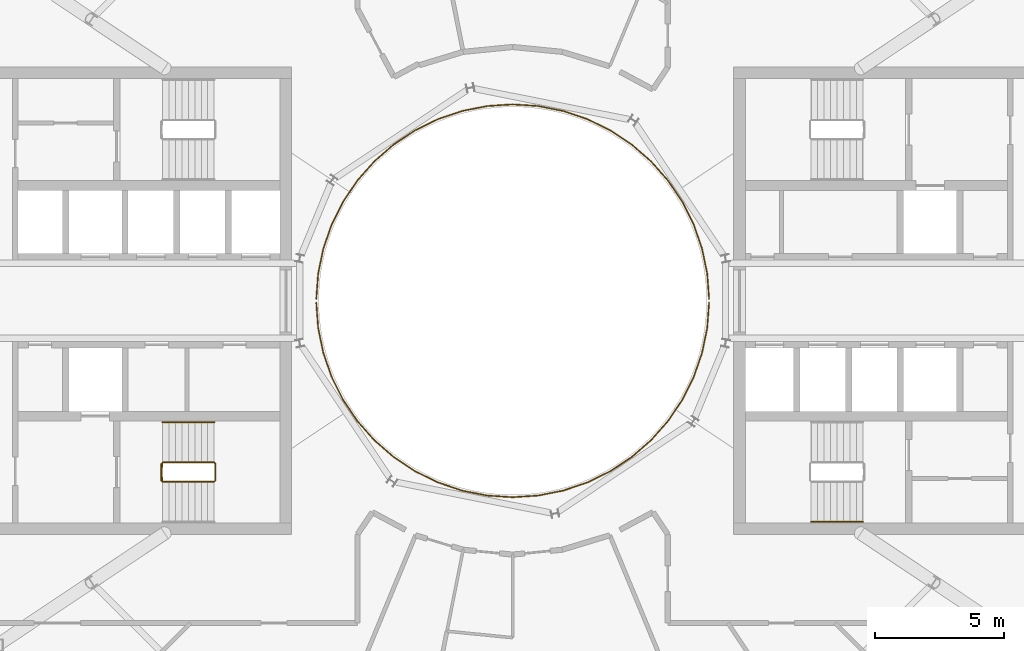
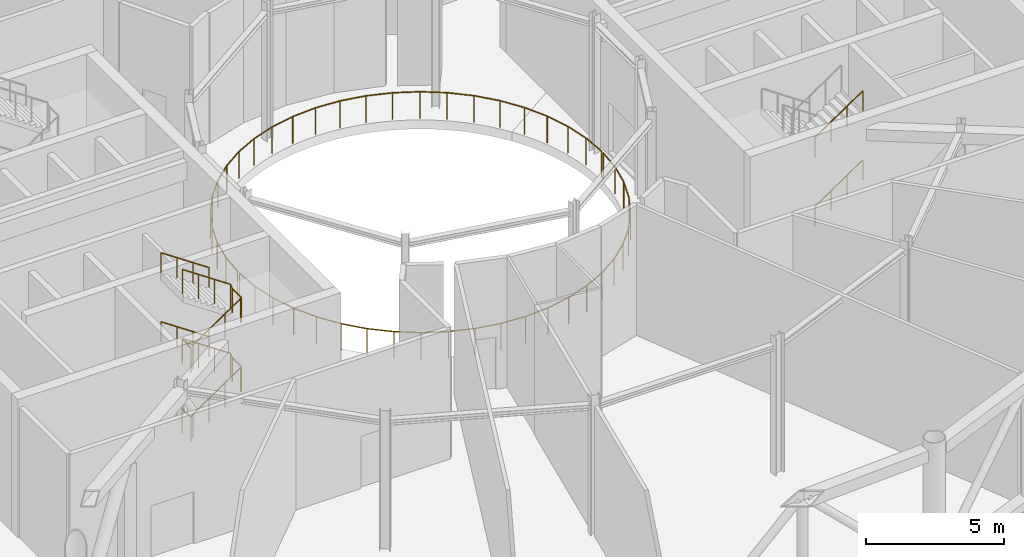
# One storey, part 21 of 24: 7 railings.
"""IFC4 building model written with IfcOpenShell, lengths in metres."""

from ifc_helpers import new_model, si_unit, direction, frame, origin, origin_2d, place, context, subcontext, project, spatial, circle, extrude, material, type_object, element, save


model = new_model("IFC4")

# Units and contexts
model_context = context("Model", 3, precision=1e-05, world=origin(), true_north=direction((0.0, 1.0)))
body_context = subcontext(model_context, "Body", "Model", "MODEL_VIEW")
ifc_project = project(units=[si_unit("LENGTHUNIT", "METRE"), si_unit("AREAUNIT", "SQUARE_METRE"), si_unit("VOLUMEUNIT", "CUBIC_METRE"), si_unit("PLANEANGLEUNIT", "RADIAN"), si_unit("MASSUNIT", "GRAM", prefix="KILO")], contexts=[model_context])

# Site, building, storey
site_placement = place(None, origin())
site = spatial("IfcSite", under=ifc_project, at=site_placement, CompositionType="ELEMENT")
building_placement = place(site_placement, origin())
building = spatial("IfcBuilding", under=site, at=building_placement, Name="Maasbend Ring Residences", CompositionType="ELEMENT")
storey_placement = place(building_placement, frame((0.0, 0.0, 221.85009765625)))
storey = spatial("IfcBuildingStorey", under=building, at=storey_placement, Name="L64", CompositionType="ELEMENT", Elevation=221.85009765625)

# Railings
ifc_material_1 = material(Name="Stainless steel 316 and glass", Category="steel")
railing_type_1 = type_object("IfcRailingType", Name="RL-GUARD", PredefinedType="GUARDRAIL", material=ifc_material_1)
railing_1_placement = place(storey_placement, frame((7.599609375, 0.06640625, 0.0)))
element("IfcRailing", 1, at=railing_1_placement, inside=storey, type_object=railing_type_1, Name="Garden guard well 1", PredefinedType="GUARDRAIL", context=body_context, shape_type="SweptSolid", body=[
    extrude(circle(Radius=0.02490234375, at=origin_2d()), frame((0.0, 0.0, 1.1748046875), z_axis=(-0.073598762792, 0.997287933405, 0.0), x_axis=(-0.997287933405, -0.073598762792, 0.0)), (0.0, 0.0, 1.0), 0.988525390625),
    extrude(circle(Radius=0.02490234375, at=origin_2d()), frame((-0.07275390625, 0.98583984375, 1.1748046875), z_axis=(-0.202760766137, 0.979228304184, 0.0), x_axis=(-0.979228304184, -0.202760766137, 0.0)), (0.0, 0.0, 1.0), 0.988525390625),
    extrude(circle(Radius=0.02490234375, at=origin_2d()), frame((-0.273193359375, 1.953857421875, 1.1748046875), z_axis=(-0.327907631853, 0.944709788757, 0.0), x_axis=(-0.944709788757, -0.327907631853, 0.0)), (0.0, 0.0, 1.0), 0.98876953125),
    extrude(circle(Radius=0.02490234375, at=origin_2d()), frame((-0.597412109375, 2.887939453125, 1.1748046875), z_axis=(-0.447806291046, 0.894130597676, 0.0), x_axis=(-0.894130597676, -0.447806291046, 0.0)), (0.0, 0.0, 1.0), 0.988525390625),
    extrude(circle(Radius=0.02490234375, at=origin_2d()), frame((-1.0400390625, 3.771728515625, 1.1748046875), z_axis=(-0.560045259563, 0.828462013155, 0.0), x_axis=(-0.828462013155, -0.560045259563, 0.0)), (0.0, 0.0, 1.0), 0.98876953125),
    extrude(circle(Radius=0.02490234375, at=origin_2d()), frame((-1.59375, 4.5908203125, 1.1748046875), z_axis=(-0.662829611997, 0.748770262137, 0.0), x_axis=(-0.748770262137, -0.662829611997, 0.0)), (0.0, 0.0, 1.0), 0.988525390625),
    extrude(circle(Radius=0.02490234375, at=origin_2d()), frame((-2.2490234375, 5.3310546875, 1.1748046875), z_axis=(-0.754424735376, 0.656386561908, 0.0), x_axis=(-0.656386561908, -0.754424735376, 0.0)), (0.0, 0.0, 1.0), 0.988525390625),
    extrude(circle(Radius=0.02490234375, at=origin_2d()), frame((-2.994873046875, 5.97998046875, 1.1748046875), z_axis=(-0.833415421364, 0.552647026078, 0.0), x_axis=(-0.552647026078, -0.833415421364, 0.0)), (0.0, 0.0, 1.0), 0.98876953125),
    extrude(circle(Radius=0.02490234375, at=origin_2d()), frame((-3.81884765625, 6.5263671875, 1.1748046875), z_axis=(-0.89795516916, 0.440086939341, 0.0), x_axis=(-0.440086939341, -0.89795516916, 0.0)), (0.0, 0.0, 1.0), 0.988525390625),
    extrude(circle(Radius=0.02490234375, at=origin_2d()), frame((-4.70654296875, 6.96142578125, 1.1748046875), z_axis=(-0.947491343753, 0.31978141521, 0.0), x_axis=(-0.31978141521, -0.947491343753, 0.0)), (0.0, 0.0, 1.0), 0.98876953125),
    extrude(circle(Radius=0.02490234375, at=origin_2d()), frame((-5.643310546875, 7.277587890625, 1.1748046875), z_axis=(-0.981024607585, 0.193883262073, 0.0), x_axis=(-0.193883262073, -0.981024607585, 0.0)), (0.0, 0.0, 1.0), 0.988525390625),
    extrude(circle(Radius=0.02490234375, at=origin_2d()), frame((-6.613037109375, 7.46923828125, 1.1748046875), z_axis=(-0.997872778693, 0.06519139163, 0.0), x_axis=(-0.06519139163, -0.997872778693, 0.0)), (0.0, 0.0, 1.0), 0.98876953125),
    extrude(circle(Radius=0.02490234375, at=origin_2d()), frame((-7.599609375, 7.53369140625, 1.1748046875), z_axis=(-0.997872778693, -0.06519139163, 0.0), x_axis=(0.06519139163, -0.997872778693, 0.0)), (0.0, 0.0, 1.0), 0.98876953125),
    extrude(circle(Radius=0.02490234375, at=origin_2d()), frame((-8.586181640625, 7.46923828125, 1.1748046875), z_axis=(-0.981024607585, -0.193883262073, 0.0), x_axis=(0.193883262073, -0.981024607585, 0.0)), (0.0, 0.0, 1.0), 0.988525390625),
    extrude(circle(Radius=0.02490234375, at=origin_2d()), frame((-9.555908203125, 7.277587890625, 1.1748046875), z_axis=(-0.947491343753, -0.31978141521, 0.0), x_axis=(0.31978141521, -0.947491343753, 0.0)), (0.0, 0.0, 1.0), 0.98876953125),
    extrude(circle(Radius=0.02490234375, at=origin_2d()), frame((-10.49267578125, 6.96142578125, 1.1748046875), z_axis=(-0.89795516916, -0.440086939341, 0.0), x_axis=(0.440086939341, -0.89795516916, 0.0)), (0.0, 0.0, 1.0), 0.988525390625),
    extrude(circle(Radius=0.02490234375, at=origin_2d()), frame((-11.38037109375, 6.5263671875, 1.1748046875), z_axis=(-0.833415421364, -0.552647026078, 0.0), x_axis=(0.552647026078, -0.833415421364, 0.0)), (0.0, 0.0, 1.0), 0.98876953125),
    extrude(circle(Radius=0.02490234375, at=origin_2d()), frame((-12.204345703125, 5.97998046875, 1.1748046875), z_axis=(-0.754424735376, -0.656386561908, 0.0), x_axis=(0.656386561908, -0.754424735376, 0.0)), (0.0, 0.0, 1.0), 0.988525390625),
    extrude(circle(Radius=0.02490234375, at=origin_2d()), frame((-12.9501953125, 5.3310546875, 1.1748046875), z_axis=(-0.662829611997, -0.748770262137, 0.0), x_axis=(0.748770262137, -0.662829611997, 0.0)), (0.0, 0.0, 1.0), 0.988525390625),
    extrude(circle(Radius=0.02490234375, at=origin_2d()), frame((-13.60546875, 4.5908203125, 1.1748046875), z_axis=(-0.560045259563, -0.828462013155, 0.0), x_axis=(0.828462013155, -0.560045259563, 0.0)), (0.0, 0.0, 1.0), 0.98876953125),
    extrude(circle(Radius=0.02490234375, at=origin_2d()), frame((-14.1591796875, 3.771728515625, 1.1748046875), z_axis=(-0.447806291046, -0.894130597676, 0.0), x_axis=(0.894130597676, -0.447806291046, 0.0)), (0.0, 0.0, 1.0), 0.988525390625),
    extrude(circle(Radius=0.02490234375, at=origin_2d()), frame((-14.601806640625, 2.887939453125, 1.1748046875), z_axis=(-0.327907631853, -0.944709788757, 0.0), x_axis=(0.944709788757, -0.327907631853, 0.0)), (0.0, 0.0, 1.0), 0.98876953125),
    extrude(circle(Radius=0.02490234375, at=origin_2d()), frame((-14.926025390625, 1.953857421875, 1.1748046875), z_axis=(-0.202760766137, -0.979228304184, 0.0), x_axis=(0.979228304184, -0.202760766137, 0.0)), (0.0, 0.0, 1.0), 0.988525390625),
    extrude(circle(Radius=0.02490234375, at=origin_2d()), frame((-15.12646484375, 0.98583984375, 1.1748046875), z_axis=(-0.073598762792, -0.997287933405, 0.0), x_axis=(0.997287933405, -0.073598762792, 0.0)), (0.0, 0.0, 1.0), 0.988525390625),
    extrude(circle(Radius=0.02001953125, at=origin_2d()), origin(), (0.0, 0.0, 1.0), 1.14990234375),
    extrude(circle(Radius=0.02001953125, at=origin_2d()), frame((-0.07275390625, 0.98583984375, 0.0)), (0.0, 0.0, 1.0), 1.14990234375),
    extrude(circle(Radius=0.02001953125, at=origin_2d()), frame((-0.273193359375, 1.953857421875, 0.0)), (0.0, 0.0, 1.0), 1.14990234375),
    extrude(circle(Radius=0.02001953125, at=origin_2d()), frame((-0.597412109375, 2.887939453125, 0.0)), (0.0, 0.0, 1.0), 1.14990234375),
    extrude(circle(Radius=0.02001953125, at=origin_2d()), frame((-1.0400390625, 3.771728515625, 0.0)), (0.0, 0.0, 1.0), 1.14990234375),
    extrude(circle(Radius=0.02001953125, at=origin_2d()), frame((-1.59375, 4.5908203125, 0.0)), (0.0, 0.0, 1.0), 1.14990234375),
    extrude(circle(Radius=0.02001953125, at=origin_2d()), frame((-2.2490234375, 5.3310546875, 0.0)), (0.0, 0.0, 1.0), 1.14990234375),
    extrude(circle(Radius=0.02001953125, at=origin_2d()), frame((-2.994873046875, 5.97998046875, 0.0)), (0.0, 0.0, 1.0), 1.14990234375),
    extrude(circle(Radius=0.02001953125, at=origin_2d()), frame((-3.81884765625, 6.5263671875, 0.0)), (0.0, 0.0, 1.0), 1.14990234375),
    extrude(circle(Radius=0.02001953125, at=origin_2d()), frame((-4.70654296875, 6.96142578125, 0.0)), (0.0, 0.0, 1.0), 1.14990234375),
    extrude(circle(Radius=0.02001953125, at=origin_2d()), frame((-5.643310546875, 7.277587890625, 0.0)), (0.0, 0.0, 1.0), 1.14990234375),
    extrude(circle(Radius=0.02001953125, at=origin_2d()), frame((-6.613037109375, 7.46923828125, 0.0)), (0.0, 0.0, 1.0), 1.14990234375),
    extrude(circle(Radius=0.02001953125, at=origin_2d()), frame((-7.599609375, 7.53369140625, 0.0)), (0.0, 0.0, 1.0), 1.14990234375),
    extrude(circle(Radius=0.02001953125, at=origin_2d()), frame((-8.586181640625, 7.46923828125, 0.0)), (0.0, 0.0, 1.0), 1.14990234375),
    extrude(circle(Radius=0.02001953125, at=origin_2d()), frame((-9.555908203125, 7.277587890625, 0.0)), (0.0, 0.0, 1.0), 1.14990234375),
    extrude(circle(Radius=0.02001953125, at=origin_2d()), frame((-10.49267578125, 6.96142578125, 0.0)), (0.0, 0.0, 1.0), 1.14990234375),
    extrude(circle(Radius=0.02001953125, at=origin_2d()), frame((-11.38037109375, 6.5263671875, 0.0)), (0.0, 0.0, 1.0), 1.14990234375),
    extrude(circle(Radius=0.02001953125, at=origin_2d()), frame((-12.204345703125, 5.97998046875, 0.0)), (0.0, 0.0, 1.0), 1.14990234375),
    extrude(circle(Radius=0.02001953125, at=origin_2d()), frame((-12.9501953125, 5.3310546875, 0.0)), (0.0, 0.0, 1.0), 1.14990234375),
    extrude(circle(Radius=0.02001953125, at=origin_2d()), frame((-13.60546875, 4.5908203125, 0.0)), (0.0, 0.0, 1.0), 1.14990234375),
    extrude(circle(Radius=0.02001953125, at=origin_2d()), frame((-14.1591796875, 3.771728515625, 0.0)), (0.0, 0.0, 1.0), 1.14990234375),
    extrude(circle(Radius=0.02001953125, at=origin_2d()), frame((-14.601806640625, 2.887939453125, 0.0)), (0.0, 0.0, 1.0), 1.14990234375),
    extrude(circle(Radius=0.02001953125, at=origin_2d()), frame((-14.926025390625, 1.953857421875, 0.0)), (0.0, 0.0, 1.0), 1.14990234375),
    extrude(circle(Radius=0.02001953125, at=origin_2d()), frame((-15.12646484375, 0.98583984375, 0.0)), (0.0, 0.0, 1.0), 1.14990234375),
    extrude(circle(Radius=0.02001953125, at=origin_2d()), frame((-15.19921875, 0.0, 0.0)), (0.0, 0.0, 1.0), 1.14990234375),
])
railing_2_placement = place(storey_placement, frame((-7.599609375, -0.06640625, 0.0)))
element("IfcRailing", 2, at=railing_2_placement, inside=storey, type_object=railing_type_1, Name="Garden guard well 2", PredefinedType="GUARDRAIL", context=body_context, shape_type="SweptSolid", body=[
    extrude(circle(Radius=0.02490234375, at=origin_2d()), frame((0.0, 0.0, 1.1748046875), z_axis=(0.073598762792, -0.997287933405, 0.0), x_axis=(0.997287933405, 0.073598762792, 0.0)), (0.0, 0.0, 1.0), 0.988525390625),
    extrude(circle(Radius=0.02490234375, at=origin_2d()), frame((0.07275390625, -0.98583984375, 1.1748046875), z_axis=(0.202760766137, -0.979228304184, 0.0), x_axis=(0.979228304184, 0.202760766137, 0.0)), (0.0, 0.0, 1.0), 0.988525390625),
    extrude(circle(Radius=0.02490234375, at=origin_2d()), frame((0.273193359375, -1.953857421875, 1.1748046875), z_axis=(0.327907631853, -0.944709788757, 0.0), x_axis=(0.944709788757, 0.327907631853, 0.0)), (0.0, 0.0, 1.0), 0.98876953125),
    extrude(circle(Radius=0.02490234375, at=origin_2d()), frame((0.597412109375, -2.887939453125, 1.1748046875), z_axis=(0.447806291046, -0.894130597676, 0.0), x_axis=(0.894130597676, 0.447806291046, 0.0)), (0.0, 0.0, 1.0), 0.988525390625),
    extrude(circle(Radius=0.02490234375, at=origin_2d()), frame((1.0400390625, -3.771728515625, 1.1748046875), z_axis=(0.560045259563, -0.828462013155, 0.0), x_axis=(0.828462013155, 0.560045259563, 0.0)), (0.0, 0.0, 1.0), 0.98876953125),
    extrude(circle(Radius=0.02490234375, at=origin_2d()), frame((1.59375, -4.5908203125, 1.1748046875), z_axis=(0.662829611997, -0.748770262137, 0.0), x_axis=(0.748770262137, 0.662829611997, 0.0)), (0.0, 0.0, 1.0), 0.988525390625),
    extrude(circle(Radius=0.02490234375, at=origin_2d()), frame((2.2490234375, -5.3310546875, 1.1748046875), z_axis=(0.754424735376, -0.656386561908, 0.0), x_axis=(0.656386561908, 0.754424735376, 0.0)), (0.0, 0.0, 1.0), 0.988525390625),
    extrude(circle(Radius=0.02490234375, at=origin_2d()), frame((2.994873046875, -5.97998046875, 1.1748046875), z_axis=(0.833415421364, -0.552647026078, 0.0), x_axis=(0.552647026078, 0.833415421364, 0.0)), (0.0, 0.0, 1.0), 0.98876953125),
    extrude(circle(Radius=0.02490234375, at=origin_2d()), frame((3.81884765625, -6.5263671875, 1.1748046875), z_axis=(0.89795516916, -0.440086939341, 0.0), x_axis=(0.440086939341, 0.89795516916, 0.0)), (0.0, 0.0, 1.0), 0.988525390625),
    extrude(circle(Radius=0.02490234375, at=origin_2d()), frame((4.70654296875, -6.96142578125, 1.1748046875), z_axis=(0.947491343753, -0.31978141521, 0.0), x_axis=(0.31978141521, 0.947491343753, 0.0)), (0.0, 0.0, 1.0), 0.98876953125),
    extrude(circle(Radius=0.02490234375, at=origin_2d()), frame((5.643310546875, -7.277587890625, 1.1748046875), z_axis=(0.981024607585, -0.193883262073, 0.0), x_axis=(0.193883262073, 0.981024607585, 0.0)), (0.0, 0.0, 1.0), 0.988525390625),
    extrude(circle(Radius=0.02490234375, at=origin_2d()), frame((6.613037109375, -7.46923828125, 1.1748046875), z_axis=(0.997872778693, -0.06519139163, 0.0), x_axis=(0.06519139163, 0.997872778693, 0.0)), (0.0, 0.0, 1.0), 0.98876953125),
    extrude(circle(Radius=0.02490234375, at=origin_2d()), frame((7.599609375, -7.53369140625, 1.1748046875), z_axis=(0.997872778693, 0.06519139163, 0.0), x_axis=(-0.06519139163, 0.997872778693, 0.0)), (0.0, 0.0, 1.0), 0.98876953125),
    extrude(circle(Radius=0.02490234375, at=origin_2d()), frame((8.586181640625, -7.46923828125, 1.1748046875), z_axis=(0.981024607585, 0.193883262073, 0.0), x_axis=(-0.193883262073, 0.981024607585, 0.0)), (0.0, 0.0, 1.0), 0.988525390625),
    extrude(circle(Radius=0.02490234375, at=origin_2d()), frame((9.555908203125, -7.277587890625, 1.1748046875), z_axis=(0.947491343753, 0.31978141521, 0.0), x_axis=(-0.31978141521, 0.947491343753, 0.0)), (0.0, 0.0, 1.0), 0.98876953125),
    extrude(circle(Radius=0.02490234375, at=origin_2d()), frame((10.49267578125, -6.96142578125, 1.1748046875), z_axis=(0.89795516916, 0.440086939341, 0.0), x_axis=(-0.440086939341, 0.89795516916, 0.0)), (0.0, 0.0, 1.0), 0.988525390625),
    extrude(circle(Radius=0.02490234375, at=origin_2d()), frame((11.38037109375, -6.5263671875, 1.1748046875), z_axis=(0.833415421364, 0.552647026078, 0.0), x_axis=(-0.552647026078, 0.833415421364, 0.0)), (0.0, 0.0, 1.0), 0.98876953125),
    extrude(circle(Radius=0.02490234375, at=origin_2d()), frame((12.204345703125, -5.97998046875, 1.1748046875), z_axis=(0.754424735376, 0.656386561908, 0.0), x_axis=(-0.656386561908, 0.754424735376, 0.0)), (0.0, 0.0, 1.0), 0.988525390625),
    extrude(circle(Radius=0.02490234375, at=origin_2d()), frame((12.9501953125, -5.3310546875, 1.1748046875), z_axis=(0.662829611997, 0.748770262137, 0.0), x_axis=(-0.748770262137, 0.662829611997, 0.0)), (0.0, 0.0, 1.0), 0.988525390625),
    extrude(circle(Radius=0.02490234375, at=origin_2d()), frame((13.60546875, -4.5908203125, 1.1748046875), z_axis=(0.560045259563, 0.828462013155, 0.0), x_axis=(-0.828462013155, 0.560045259563, 0.0)), (0.0, 0.0, 1.0), 0.98876953125),
    extrude(circle(Radius=0.02490234375, at=origin_2d()), frame((14.1591796875, -3.771728515625, 1.1748046875), z_axis=(0.447806291046, 0.894130597676, 0.0), x_axis=(-0.894130597676, 0.447806291046, 0.0)), (0.0, 0.0, 1.0), 0.988525390625),
    extrude(circle(Radius=0.02490234375, at=origin_2d()), frame((14.601806640625, -2.887939453125, 1.1748046875), z_axis=(0.327907631853, 0.944709788757, 0.0), x_axis=(-0.944709788757, 0.327907631853, 0.0)), (0.0, 0.0, 1.0), 0.98876953125),
    extrude(circle(Radius=0.02490234375, at=origin_2d()), frame((14.926025390625, -1.953857421875, 1.1748046875), z_axis=(0.202760766137, 0.979228304184, 0.0), x_axis=(-0.979228304184, 0.202760766137, 0.0)), (0.0, 0.0, 1.0), 0.988525390625),
    extrude(circle(Radius=0.02490234375, at=origin_2d()), frame((15.12646484375, -0.98583984375, 1.1748046875), z_axis=(0.073598762792, 0.997287933405, 0.0), x_axis=(-0.997287933405, 0.073598762792, 0.0)), (0.0, 0.0, 1.0), 0.988525390625),
    extrude(circle(Radius=0.02001953125, at=origin_2d()), origin(), (0.0, 0.0, 1.0), 1.14990234375),
    extrude(circle(Radius=0.02001953125, at=origin_2d()), frame((0.07275390625, -0.98583984375, 0.0)), (0.0, 0.0, 1.0), 1.14990234375),
    extrude(circle(Radius=0.02001953125, at=origin_2d()), frame((0.273193359375, -1.953857421875, 0.0)), (0.0, 0.0, 1.0), 1.14990234375),
    extrude(circle(Radius=0.02001953125, at=origin_2d()), frame((0.597412109375, -2.887939453125, 0.0)), (0.0, 0.0, 1.0), 1.14990234375),
    extrude(circle(Radius=0.02001953125, at=origin_2d()), frame((1.0400390625, -3.771728515625, 0.0)), (0.0, 0.0, 1.0), 1.14990234375),
    extrude(circle(Radius=0.02001953125, at=origin_2d()), frame((1.59375, -4.5908203125, 0.0)), (0.0, 0.0, 1.0), 1.14990234375),
    extrude(circle(Radius=0.02001953125, at=origin_2d()), frame((2.2490234375, -5.3310546875, 0.0)), (0.0, 0.0, 1.0), 1.14990234375),
    extrude(circle(Radius=0.02001953125, at=origin_2d()), frame((2.994873046875, -5.97998046875, 0.0)), (0.0, 0.0, 1.0), 1.14990234375),
    extrude(circle(Radius=0.02001953125, at=origin_2d()), frame((3.81884765625, -6.5263671875, 0.0)), (0.0, 0.0, 1.0), 1.14990234375),
    extrude(circle(Radius=0.02001953125, at=origin_2d()), frame((4.70654296875, -6.96142578125, 0.0)), (0.0, 0.0, 1.0), 1.14990234375),
    extrude(circle(Radius=0.02001953125, at=origin_2d()), frame((5.643310546875, -7.277587890625, 0.0)), (0.0, 0.0, 1.0), 1.14990234375),
    extrude(circle(Radius=0.02001953125, at=origin_2d()), frame((6.613037109375, -7.46923828125, 0.0)), (0.0, 0.0, 1.0), 1.14990234375),
    extrude(circle(Radius=0.02001953125, at=origin_2d()), frame((7.599609375, -7.53369140625, 0.0)), (0.0, 0.0, 1.0), 1.14990234375),
    extrude(circle(Radius=0.02001953125, at=origin_2d()), frame((8.586181640625, -7.46923828125, 0.0)), (0.0, 0.0, 1.0), 1.14990234375),
    extrude(circle(Radius=0.02001953125, at=origin_2d()), frame((9.555908203125, -7.277587890625, 0.0)), (0.0, 0.0, 1.0), 1.14990234375),
    extrude(circle(Radius=0.02001953125, at=origin_2d()), frame((10.49267578125, -6.96142578125, 0.0)), (0.0, 0.0, 1.0), 1.14990234375),
    extrude(circle(Radius=0.02001953125, at=origin_2d()), frame((11.38037109375, -6.5263671875, 0.0)), (0.0, 0.0, 1.0), 1.14990234375),
    extrude(circle(Radius=0.02001953125, at=origin_2d()), frame((12.204345703125, -5.97998046875, 0.0)), (0.0, 0.0, 1.0), 1.14990234375),
    extrude(circle(Radius=0.02001953125, at=origin_2d()), frame((12.9501953125, -5.3310546875, 0.0)), (0.0, 0.0, 1.0), 1.14990234375),
    extrude(circle(Radius=0.02001953125, at=origin_2d()), frame((13.60546875, -4.5908203125, 0.0)), (0.0, 0.0, 1.0), 1.14990234375),
    extrude(circle(Radius=0.02001953125, at=origin_2d()), frame((14.1591796875, -3.771728515625, 0.0)), (0.0, 0.0, 1.0), 1.14990234375),
    extrude(circle(Radius=0.02001953125, at=origin_2d()), frame((14.601806640625, -2.887939453125, 0.0)), (0.0, 0.0, 1.0), 1.14990234375),
    extrude(circle(Radius=0.02001953125, at=origin_2d()), frame((14.926025390625, -1.953857421875, 0.0)), (0.0, 0.0, 1.0), 1.14990234375),
    extrude(circle(Radius=0.02001953125, at=origin_2d()), frame((15.12646484375, -0.98583984375, 0.0)), (0.0, 0.0, 1.0), 1.14990234375),
    extrude(circle(Radius=0.02001953125, at=origin_2d()), frame((15.19921875, 0.0, 0.0)), (0.0, 0.0, 1.0), 1.14990234375),
])
ifc_material_2 = material(Name="Stainless steel 316", Category="steel")
railing_type_2 = type_object("IfcRailingType", Name="STAIR GUARD 1100", PredefinedType="GUARDRAIL", material=ifc_material_2)
railing_3_placement = place(storey_placement, frame((-13.60009765625, -6.300048828125, 0.0)))
element("IfcRailing", 3, at=railing_3_placement, inside=storey, type_object=railing_type_2, Name="L64 ST-W1 stair guard 1", PredefinedType="GUARDRAIL", context=body_context, shape_type="SweptSolid", body=[
    extrude(circle(Radius=0.02392578125, at=origin_2d()), frame((0.0, 0.0, 1.076171875), z_axis=(0.0, -1.0, 0.0), x_axis=(1.0, 0.0, 0.0)), (0.0, 0.0, 1.0), 0.64990234375),
    extrude(circle(Radius=0.02392578125, at=origin_2d()), frame((0.0, -0.64990234375, 1.076171875), z_axis=(0.272562526181, -0.272562526181, 0.92272386912), x_axis=(0.707106781187, 0.707106781187, 0.0)), (0.0, 0.0, 1.0), 0.18359375),
    extrude(circle(Radius=0.02392578125, at=origin_2d()), frame((0.050048828125, -0.699951171875, 1.24560546875), z_axis=(0.827797584762, 0.0, 0.561026878735), x_axis=(0.0, 1.0, 0.0)), (0.0, 0.0, 1.0), 2.416015625),
    extrude(circle(Radius=0.02392578125, at=origin_2d()), frame((2.050048828125, -0.699951171875, 2.60107421875), z_axis=(0.707106781187, 0.707106781187, 0.0), x_axis=(-0.707106781187, 0.707106781187, 0.0)), (0.0, 0.0, 1.0), 0.07080078125),
    extrude(circle(Radius=0.02392578125, at=origin_2d()), frame((2.10009765625, -0.64990234375, 2.60107421875), z_axis=(0.0, 1.0, 0.0), x_axis=(-1.0, 0.0, 0.0)), (0.0, 0.0, 1.0), 0.64990234375),
    extrude(circle(Radius=0.02392578125, at=origin_2d()), frame((2.10009765625, 0.0, 2.60107421875), z_axis=(-0.272562526181, 0.272562526181, 0.92272386912), x_axis=(-0.707106781187, -0.707106781187, 0.0)), (0.0, 0.0, 1.0), 0.18359375),
    extrude(circle(Radius=0.02392578125, at=origin_2d()), frame((2.050048828125, 0.050048828125, 2.7705078125), z_axis=(-0.827797584762, 0.0, 0.561026878735), x_axis=(0.0, -1.0, 0.0)), (0.0, 0.0, 1.0), 2.416015625),
    extrude(circle(Radius=0.02392578125, at=origin_2d()), frame((0.050048828125, 0.050048828125, 4.1259765625), z_axis=(-0.071321223157, -0.997453398975, 0.0), x_axis=(0.997453398975, -0.071321223157, 0.0)), (0.0, 0.0, 1.0), 0.70166015625),
    extrude(circle(Radius=0.02392578125, at=origin_2d()), frame((0.0, -0.64990234375, 4.1259765625), z_axis=(0.0, 1.0, 0.0), x_axis=(-1.0, 0.0, 0.0)), (0.0, 0.0, 1.0), 0.64990234375),
    extrude(circle(Radius=0.02392578125, at=origin_2d()), frame((0.0, 0.0, 4.1259765625), z_axis=(0.069328998915, -0.969591414091, 0.234704025594), x_axis=(0.997453398975, 0.071321223157, 0.0)), (0.0, 0.0, 1.0), 0.721923828125),
    extrude(circle(Radius=0.02392578125, at=origin_2d()), frame((0.050048828125, -0.699951171875, 4.29541015625), z_axis=(0.827750655447, 0.0, 0.561096116906), x_axis=(0.0, 1.0, 0.0)), (0.0, 0.0, 1.0), 2.416259765625),
    extrude(circle(Radius=0.02392578125, at=origin_2d()), frame((2.050048828125, -0.699951171875, 5.65087890625), z_axis=(0.707106781187, 0.707106781187, 0.0), x_axis=(-0.707106781187, 0.707106781187, 0.0)), (0.0, 0.0, 1.0), 0.07080078125),
    extrude(circle(Radius=0.02392578125, at=origin_2d()), frame((2.10009765625, -0.64990234375, 5.65087890625), z_axis=(0.0, 1.0, 0.0), x_axis=(-1.0, 0.0, 0.0)), (0.0, 0.0, 1.0), 0.64990234375),
    extrude(circle(Radius=0.02392578125, at=origin_2d()), frame((2.10009765625, 0.0, 5.65087890625), z_axis=(-0.272562526181, 0.272562526181, 0.92272386912), x_axis=(-0.707106781187, -0.707106781187, 0.0)), (0.0, 0.0, 1.0), 0.18359375),
    extrude(circle(Radius=0.02392578125, at=origin_2d()), frame((2.050048828125, 0.050048828125, 5.8203125), z_axis=(-0.827797584762, 0.0, 0.561026878735), x_axis=(0.0, -1.0, 0.0)), (0.0, 0.0, 1.0), 2.416015625),
    extrude(circle(Radius=0.02099609375, at=origin_2d()), origin(), (0.0, 0.0, 1.0), 1.052001953125),
    extrude(circle(Radius=0.02099609375, at=origin_2d()), frame((0.0, -0.64990234375, 0.0)), (0.0, 0.0, 1.0), 1.052001953125),
    extrude(circle(Radius=0.02099609375, at=origin_2d()), frame((0.050048828125, -0.699951171875, 0.16943359375)), (0.0, 0.0, 1.0), 1.052001953125),
    extrude(circle(Radius=0.02099609375, at=origin_2d()), frame((0.716796875, -0.699951171875, 0.621337890625)), (0.0, 0.0, 1.0), 1.052001953125),
    extrude(circle(Radius=0.02099609375, at=origin_2d()), frame((1.38330078125, -0.699951171875, 1.072998046875)), (0.0, 0.0, 1.0), 1.052001953125),
    extrude(circle(Radius=0.02099609375, at=origin_2d()), frame((2.050048828125, -0.699951171875, 1.52490234375)), (0.0, 0.0, 1.0), 1.052001953125),
    extrude(circle(Radius=0.02099609375, at=origin_2d()), frame((2.10009765625, -0.64990234375, 1.52490234375)), (0.0, 0.0, 1.0), 1.052001953125),
    extrude(circle(Radius=0.02099609375, at=origin_2d()), frame((2.10009765625, 0.0, 1.52490234375)), (0.0, 0.0, 1.0), 1.052001953125),
    extrude(circle(Radius=0.02099609375, at=origin_2d()), frame((2.050048828125, 0.050048828125, 1.6943359375)), (0.0, 0.0, 1.0), 1.052001953125),
    extrude(circle(Radius=0.02099609375, at=origin_2d()), frame((1.38330078125, 0.050048828125, 2.146240234375)), (0.0, 0.0, 1.0), 1.052001953125),
    extrude(circle(Radius=0.02099609375, at=origin_2d()), frame((0.716796875, 0.050048828125, 2.597900390625)), (0.0, 0.0, 1.0), 1.052001953125),
    extrude(circle(Radius=0.02099609375, at=origin_2d()), frame((0.050048828125, 0.050048828125, 3.0498046875)), (0.0, 0.0, 1.0), 1.052001953125),
    extrude(circle(Radius=0.02099609375, at=origin_2d()), frame((0.0, -0.64990234375, 3.0498046875)), (0.0, 0.0, 1.0), 1.052001953125),
    extrude(circle(Radius=0.02099609375, at=origin_2d()), frame((0.0, 0.0, 3.0498046875)), (0.0, 0.0, 1.0), 1.052001953125),
    extrude(circle(Radius=0.02099609375, at=origin_2d()), frame((0.050048828125, -0.699951171875, 3.21923828125)), (0.0, 0.0, 1.0), 1.052001953125),
    extrude(circle(Radius=0.02099609375, at=origin_2d()), frame((0.716796875, -0.699951171875, 3.671142578125)), (0.0, 0.0, 1.0), 1.052001953125),
    extrude(circle(Radius=0.02099609375, at=origin_2d()), frame((1.38330078125, -0.699951171875, 4.123046875)), (0.0, 0.0, 1.0), 1.052001953125),
    extrude(circle(Radius=0.02099609375, at=origin_2d()), frame((2.050048828125, -0.699951171875, 4.574951171875)), (0.0, 0.0, 1.0), 1.052001953125),
    extrude(circle(Radius=0.02099609375, at=origin_2d()), frame((2.10009765625, -0.64990234375, 4.574951171875)), (0.0, 0.0, 1.0), 1.052001953125),
    extrude(circle(Radius=0.02099609375, at=origin_2d()), frame((2.10009765625, 0.0, 4.574951171875)), (0.0, 0.0, 1.0), 1.052001953125),
    extrude(circle(Radius=0.02099609375, at=origin_2d()), frame((2.050048828125, 0.050048828125, 4.744384765625)), (0.0, 0.0, 1.0), 1.052001953125),
    extrude(circle(Radius=0.02099609375, at=origin_2d()), frame((1.38330078125, 0.050048828125, 5.1962890625)), (0.0, 0.0, 1.0), 1.052001953125),
    extrude(circle(Radius=0.02099609375, at=origin_2d()), frame((0.716796875, 0.050048828125, 5.64794921875)), (0.0, 0.0, 1.0), 1.052001953125),
    extrude(circle(Radius=0.02099609375, at=origin_2d()), frame((0.050048828125, 0.050048828125, 6.099853515625)), (0.0, 0.0, 1.0), 1.052001953125),
])
ifc_material_3 = material(Name="Stainless steel 316", Category="steel")
railing_type_3 = type_object("IfcRailingType", Name="STAIR HANDRAIL 900", PredefinedType="HANDRAIL", material=ifc_material_3)
for number, where, name in (
    (4, (11.550048828125, -8.550048828125, 1.6943359375), "L64 ST-E2 stair handrail 2"),
    (5, (11.550048828125, -8.550048828125, 4.744384765625), "L64 ST-E2 stair handrail 4"),
):
    element("IfcRailing", number, at=place(storey_placement, frame(where)), inside=storey, type_object=railing_type_3, Name=name, PredefinedType="HANDRAIL", context=body_context, shape_type="SweptSolid", body=[
        extrude(circle(Radius=0.02392578125, at=origin_2d()), frame((0.0, 0.0, 0.8759765625), z_axis=(0.827797584762, 0.0, 0.561026878735), x_axis=(0.0, 1.0, 0.0)), (0.0, 0.0, 1.0), 2.416015625),
        extrude(circle(Radius=0.02099609375, at=origin_2d()), origin(), (0.0, 0.0, 1.0), 0.851806640625),
        extrude(circle(Radius=0.02099609375, at=origin_2d()), frame((0.666748046875, 0.0, 0.451904296875)), (0.0, 0.0, 1.0), 0.851806640625),
        extrude(circle(Radius=0.02099609375, at=origin_2d()), frame((1.333251953125, 0.0, 0.903564453125)), (0.0, 0.0, 1.0), 0.851806640625),
        extrude(circle(Radius=0.02099609375, at=origin_2d()), frame((2.0, 0.0, 1.35546875)), (0.0, 0.0, 1.0), 0.851806640625),
    ])
for number, where, name in (
    (6, (-11.550048828125, -4.699951171875, 1.6943359375), "L64 ST-W1 stair handrail 2"),
    (7, (-11.550048828125, -4.699951171875, 4.744384765625), "L64 ST-W1 stair handrail 4"),
):
    element("IfcRailing", number, at=place(storey_placement, frame(where)), inside=storey, type_object=railing_type_3, Name=name, PredefinedType="HANDRAIL", context=body_context, shape_type="SweptSolid", body=[
        extrude(circle(Radius=0.02392578125, at=origin_2d()), frame((0.0, 0.0, 0.8759765625), z_axis=(-0.827797584762, 0.0, 0.561026878735), x_axis=(0.0, -1.0, 0.0)), (0.0, 0.0, 1.0), 2.416015625),
        extrude(circle(Radius=0.02099609375, at=origin_2d()), origin(), (0.0, 0.0, 1.0), 0.851806640625),
        extrude(circle(Radius=0.02099609375, at=origin_2d()), frame((-0.666748046875, 0.0, 0.451904296875)), (0.0, 0.0, 1.0), 0.851806640625),
        extrude(circle(Radius=0.02099609375, at=origin_2d()), frame((-1.333251953125, 0.0, 0.903564453125)), (0.0, 0.0, 1.0), 0.851806640625),
        extrude(circle(Radius=0.02099609375, at=origin_2d()), frame((-2.0, 0.0, 1.35546875)), (0.0, 0.0, 1.0), 0.851806640625),
    ])

save(model, "model.ifc")
